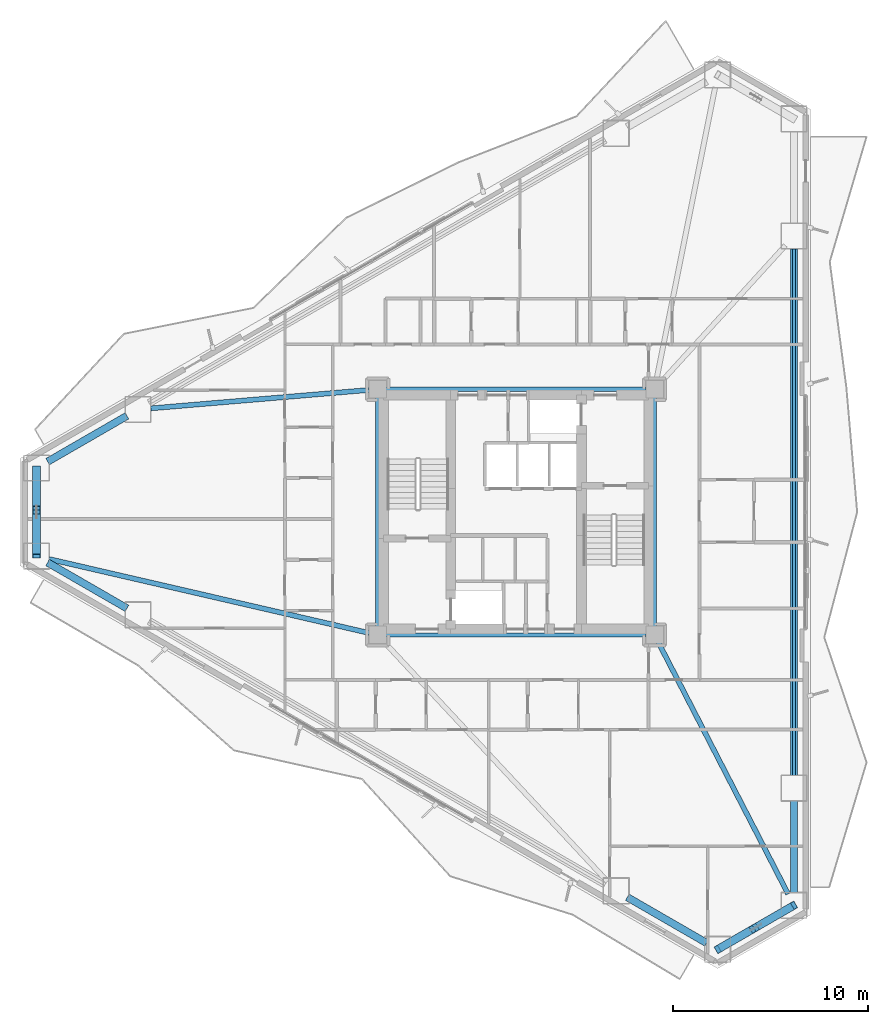
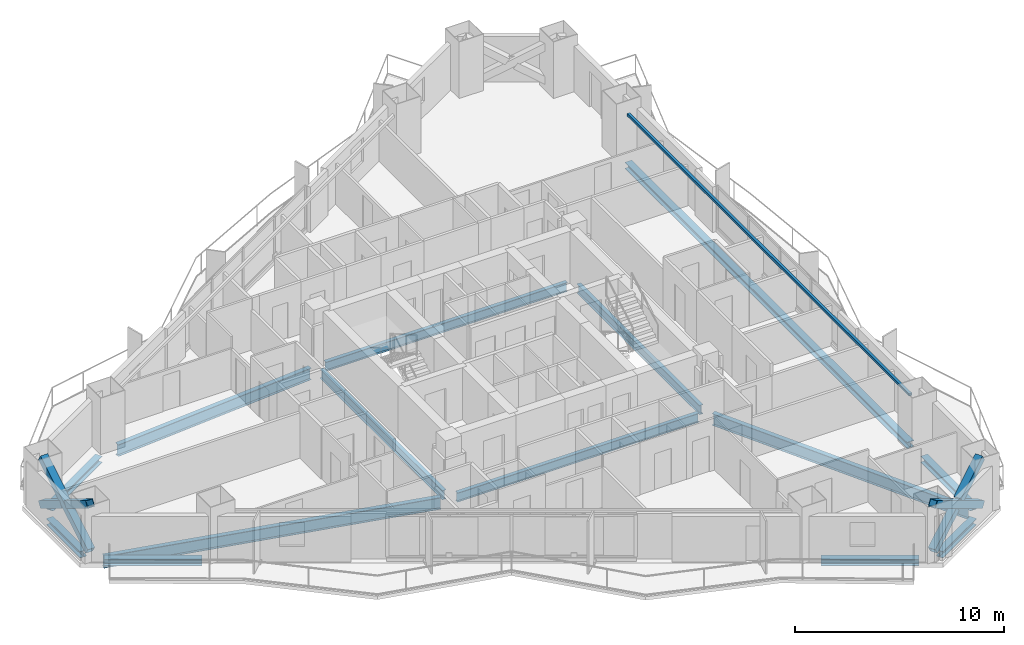
# One storey, part 5 of 18: 15 beams, 6 members.
"""IFC4 building model written with IfcOpenShell, lengths in metres."""

from ifc_helpers import new_model, si_unit, direction, frame, origin, origin_2d, place, context, subcontext, project, spatial, hollow_rectangle, i_section, extrude, material, material_profile, profile_set, type_object, element, save


model = new_model("IFC4")

# Units and contexts
model_context = context("Model", 3, precision=1e-05, world=origin(), true_north=direction((0.0, 1.0)))
body_context = subcontext(model_context, "Body", "Model", "MODEL_VIEW")
ifc_project = project(units=[si_unit("LENGTHUNIT", "METRE"), si_unit("AREAUNIT", "SQUARE_METRE"), si_unit("VOLUMEUNIT", "CUBIC_METRE"), si_unit("PLANEANGLEUNIT", "RADIAN"), si_unit("MASSUNIT", "GRAM", prefix="KILO")], contexts=[model_context])

# Site, building, storey
site_placement = place(None, origin())
site = spatial("IfcSite", under=ifc_project, at=site_placement, CompositionType="ELEMENT")
building_placement = place(site_placement, origin())
building = spatial("IfcBuilding", under=site, at=building_placement, Name="Mersakhor Tower and Convention Hall", CompositionType="ELEMENT")
storey_placement = place(building_placement, frame((0.0, 0.0, 55.5)))
storey = spatial("IfcBuildingStorey", under=building, at=storey_placement, Name="L15", CompositionType="ELEMENT", Elevation=55.5)

# Beams
ifc_material_1 = material(Name="Steel S355", Category="steel")
ifc_material_profile_1 = material_profile(ifc_material_1, i_section(OverallWidth=0.2099609375, OverallDepth=0.53662109375, WebThickness=0.0107421875, FlangeThickness=0.017333984375, at=origin_2d()), Name="UB 533x210x101")
ifc_profile_set_1 = profile_set([ifc_material_profile_1], Name="Steel S355")
beam_type_1 = type_object("IfcBeamType", Name="BM-FB-533", PredefinedType="BEAM", material=ifc_profile_set_1)
beam_1_placement = place(storey_placement, frame((21.89990234375, 20.8798828125, -0.5283203125), z_axis=(0.0, 1.0, 0.0), x_axis=(-1.0, 0.0, 0.0)))
element("IfcBeam", 1, at=beam_1_placement, inside=storey, type_object=beam_type_1, Name="L15 Core Ring Tie Beam CRB-1", PredefinedType="BEAM", context=body_context, shape_type="SweptSolid", body=[
    extrude(i_section(OverallWidth=0.2099609375, OverallDepth=0.53662109375, WebThickness=0.0107421875, FlangeThickness=0.017333984375, at=origin_2d()), origin(), (0.0, 0.0, 1.0), 11.740234375),
])
beam_2_placement = place(storey_placement, frame((22.330078125, 33.050048828125, -0.5283203125), z_axis=(1.0, 0.0, 0.0), x_axis=(0.0, 1.0, 0.0)))
element("IfcBeam", 2, at=beam_2_placement, inside=storey, type_object=beam_type_1, Name="L15 Core Ring Tie Beam CRB-2", PredefinedType="BEAM", context=body_context, shape_type="SweptSolid", body=[
    extrude(i_section(OverallWidth=0.2099609375, OverallDepth=0.53662109375, WebThickness=0.0107421875, FlangeThickness=0.017333984375, at=origin_2d()), origin(), (0.0, 0.0, 1.0), 13.33984375),
])
beam_3_placement = place(storey_placement, frame((36.10009765625, 32.6201171875, -0.5283203125), z_axis=(0.0, -1.0, 0.0), x_axis=(1.0, 0.0, 0.0)))
element("IfcBeam", 3, at=beam_3_placement, inside=storey, type_object=beam_type_1, Name="L15 Core Ring Tie Beam CRB-3", PredefinedType="BEAM", context=body_context, shape_type="SweptSolid", body=[
    extrude(i_section(OverallWidth=0.2099609375, OverallDepth=0.53662109375, WebThickness=0.0107421875, FlangeThickness=0.017333984375, at=origin_2d()), origin(), (0.0, 0.0, 1.0), 11.740234375),
])
beam_4_placement = place(storey_placement, frame((35.669921875, 20.449951171875, -0.5283203125), z_axis=(-1.0, 0.0, 0.0), x_axis=(0.0, -1.0, 0.0)))
element("IfcBeam", 4, at=beam_4_placement, inside=storey, type_object=beam_type_1, Name="L15 Core Ring Tie Beam CRB-4", PredefinedType="BEAM", context=body_context, shape_type="SweptSolid", body=[
    extrude(i_section(OverallWidth=0.2099609375, OverallDepth=0.53662109375, WebThickness=0.0107421875, FlangeThickness=0.017333984375, at=origin_2d()), origin(), (0.0, 0.0, 1.0), 13.33984375),
])
ifc_material_2 = material(Name="Steel S355", Category="steel")
ifc_material_profile_2 = material_profile(ifc_material_2, hollow_rectangle(XDim=0.14990234375, YDim=0.14990234375, WallThickness=0.010009765625, at=origin_2d()), Name="SHS 150x150x10")
ifc_profile_set_2 = profile_set([ifc_material_profile_2], Name="Steel S355")
beam_type_2 = type_object("IfcBeamType", Name="BM-GRT-SHS150", PredefinedType="USERDEFINED", material=ifc_profile_set_2)
beam_5_placement = place(storey_placement, frame((43.25, 40.24951171875, 2.47998046875), z_axis=(0.0, -1.0, 0.0), x_axis=(1.0, 0.0, 0.0)))
element("IfcBeam", 5, at=beam_5_placement, inside=storey, type_object=beam_type_2, Name="L15 Facade Support Girt GRT-F2", ObjectType="GIRT", PredefinedType="USERDEFINED", context=body_context, shape_type="SweptSolid", body=[
    extrude(hollow_rectangle(XDim=0.14990234375, YDim=0.14990234375, WallThickness=0.010009765625, at=origin_2d()), origin(), (0.0, 0.0, 1.0), 26.9990234375),
])
ifc_material_3 = material(Name="Steel S355", Category="steel")
ifc_material_profile_3 = material_profile(ifc_material_3, i_section(OverallWidth=0.25439453125, OverallDepth=0.6875, WebThickness=0.01318359375, FlangeThickness=0.02099609375, at=origin_2d()), Name="UB 686x254x152")
ifc_profile_set_3 = profile_set([ifc_material_profile_3], Name="Steel S355")
beam_type_3 = type_object("IfcBeamType", Name="BM-PR-686", PredefinedType="BEAM", material=ifc_profile_set_3)
beam_6_placement = place(storey_placement, frame((21.471435546875, 33.013916015625, -0.603759765625), z_axis=(-0.996458345442, -0.084087845732, 0.0), x_axis=(0.084087845732, -0.996458345442, 0.0)))
element("IfcBeam", 6, at=beam_6_placement, inside=storey, type_object=beam_type_3, Name="L15 Primary Floor Girder FG-1", PredefinedType="BEAM", context=body_context, shape_type="SweptSolid", body=[
    extrude(i_section(OverallWidth=0.25439453125, OverallDepth=0.6875, WebThickness=0.01318359375, FlangeThickness=0.02099609375, at=origin_2d()), origin(), (0.0, 0.0, 1.0), 11.241943359375),
])
beam_7_placement = place(storey_placement, frame((36.297119140625, 20.06787109375, -0.603759765625), z_axis=(0.458368239331, -0.888762373851, 0.0), x_axis=(0.888762373851, 0.458368239331, 0.0)))
element("IfcBeam", 7, at=beam_7_placement, inside=storey, type_object=beam_type_3, Name="L15 Primary Floor Girder FG-4", PredefinedType="BEAM", context=body_context, shape_type="SweptSolid", body=[
    extrude(i_section(OverallWidth=0.25439453125, OverallDepth=0.6875, WebThickness=0.01318359375, FlangeThickness=0.02099609375, at=origin_2d()), origin(), (0.0, 0.0, 1.0), 14.513671875),
])
beam_8_placement = place(storey_placement, frame((21.48095703125, 20.546875, -0.603759765625), z_axis=(-0.974327224334, 0.225136536175, 0.0), x_axis=(-0.225136536175, -0.974327224334, 0.0)))
element("IfcBeam", 8, at=beam_8_placement, inside=storey, type_object=beam_type_3, Name="L15 Primary Floor Girder FG-6", PredefinedType="BEAM", context=body_context, shape_type="SweptSolid", body=[
    extrude(i_section(OverallWidth=0.25439453125, OverallDepth=0.6875, WebThickness=0.01318359375, FlangeThickness=0.02099609375, at=origin_2d()), origin(), (0.0, 0.0, 1.0), 16.862548828125),
])
ifc_material_4 = material(Name="Steel S355", Category="steel")
ifc_material_profile_4 = material_profile(ifc_material_4, i_section(OverallWidth=0.374755859375, OverallDepth=0.37451171875, WebThickness=0.0166015625, FlangeThickness=0.027099609375, at=origin_2d()), Name="UC 356x368x202")
ifc_profile_set_4 = profile_set([ifc_material_profile_4], Name="Steel S355")
beam_type_4 = type_object("IfcBeamType", Name="BM-SPD-UC356", PredefinedType="SPANDREL", material=ifc_profile_set_4)
beam_9_placement = place(storey_placement, frame((4.980224609375, 29.3369140625, -0.447265625), z_axis=(0.86605407247, 0.499950341091, 0.0), x_axis=(-0.499950341091, 0.86605407247, 0.0)))
element("IfcBeam", 9, at=beam_9_placement, inside=storey, type_object=beam_type_4, Name="L15 Perimeter Spandrel Beam SPB-01", PredefinedType="SPANDREL", context=body_context, shape_type="SweptSolid", body=[
    extrude(i_section(OverallWidth=0.374755859375, OverallDepth=0.37451171875, WebThickness=0.0166015625, FlangeThickness=0.027099609375, at=origin_2d()), origin(), (0.0, 0.0, 1.0), 4.69873046875),
])
beam_10_placement = place(storey_placement, frame((43.25, 40.24951171875, -0.447265625), z_axis=(0.0, -1.0, 0.0), x_axis=(1.0, 0.0, 0.0)))
element("IfcBeam", 10, at=beam_10_placement, inside=storey, type_object=beam_type_4, Name="L15 Perimeter Spandrel Beam SPB-06", PredefinedType="SPANDREL", context=body_context, shape_type="SweptSolid", body=[
    extrude(i_section(OverallWidth=0.374755859375, OverallDepth=0.37451171875, WebThickness=0.0166015625, FlangeThickness=0.027099609375, at=origin_2d()), origin(), (0.0, 0.0, 1.0), 26.9990234375),
])
beam_11_placement = place(storey_placement, frame((43.25, 11.9404296875, -0.447265625), z_axis=(0.0, -1.0, 0.0), x_axis=(1.0, 0.0, 0.0)))
element("IfcBeam", 11, at=beam_11_placement, inside=storey, type_object=beam_type_4, Name="L15 Perimeter Spandrel Beam SPB-07", PredefinedType="SPANDREL", context=body_context, shape_type="SweptSolid", body=[
    extrude(i_section(OverallWidth=0.374755859375, OverallDepth=0.37451171875, WebThickness=0.0166015625, FlangeThickness=0.027099609375, at=origin_2d()), origin(), (0.0, 0.0, 1.0), 4.69873046875),
])
beam_12_placement = place(storey_placement, frame((42.682861328125, 6.25927734375, -0.447265625), z_axis=(-0.866038607556, -0.4999771297, 0.0), x_axis=(0.4999771297, -0.866038607556, 0.0)))
element("IfcBeam", 12, at=beam_12_placement, inside=storey, type_object=beam_type_4, Name="L15 Perimeter Spandrel Beam SPB-08", PredefinedType="SPANDREL", context=body_context, shape_type="SweptSolid", body=[
    extrude(i_section(OverallWidth=0.374755859375, OverallDepth=0.37451171875, WebThickness=0.0166015625, FlangeThickness=0.027099609375, at=origin_2d()), origin(), (0.0, 0.0, 1.0), 3.208740234375),
])
for number, where, z_axis, x_axis, name in (
    (13, (38.769775390625, 4.655029296875, -0.447265625), (-0.866031574723, 0.499989311469, 0.0), (-0.499989311469, -0.866031574723, 0.0), "L15 Perimeter Spandrel Beam SPB-09"),
    (14, (9.049560546875, 21.81396484375, -0.447265625), (-0.86605407247, 0.499950341091, 0.0), (-0.499950341091, -0.86605407247, 0.0), "L15 Perimeter Spandrel Beam SPB-11"),
):
    element("IfcBeam", number, at=place(storey_placement, frame(where, z_axis=z_axis, x_axis=x_axis)), inside=storey, type_object=beam_type_4, Name=name, PredefinedType="SPANDREL", context=body_context, shape_type="SweptSolid", body=[
        extrude(i_section(OverallWidth=0.374755859375, OverallDepth=0.37451171875, WebThickness=0.0166015625, FlangeThickness=0.027099609375, at=origin_2d()), origin(), (0.0, 0.0, 1.0), 4.69873046875),
    ])
beam_13_placement = place(storey_placement, frame((4.4130859375, 25.145751953125, -0.447265625), z_axis=(0.0, 1.0, 0.0), x_axis=(-1.0, 0.0, 0.0)))
element("IfcBeam", 15, at=beam_13_placement, inside=storey, type_object=beam_type_4, Name="L15 Perimeter Spandrel Beam SPB-12", PredefinedType="SPANDREL", context=body_context, shape_type="SweptSolid", body=[
    extrude(i_section(OverallWidth=0.374755859375, OverallDepth=0.37451171875, WebThickness=0.0166015625, FlangeThickness=0.027099609375, at=origin_2d()), origin(), (0.0, 0.0, 1.0), 3.20849609375),
])

# Members
ifc_material_5 = material(Name="Steel S460", Category="steel")
ifc_material_profile_5 = material_profile(ifc_material_5, hollow_rectangle(XDim=0.39990234375, YDim=0.39990234375, WallThickness=0.02490234375, at=origin_2d()), Name="SHS 400x400x25")
ifc_profile_set_5 = profile_set([ifc_material_profile_5], Name="Steel S460")
member_type = type_object("IfcMemberType", Name="MB-BRC-SHS400", PredefinedType="BRACE", material=ifc_profile_set_5)
member_1_placement = place(storey_placement, frame((43.25, 6.586669921875, 0.14990234375), z_axis=(-0.740507772322, -0.427542982597, 0.518512523632), x_axis=(0.500009315796, -0.86602002524, 0.0)))
element("IfcMember", 16, at=member_1_placement, inside=storey, type_object=member_type, Name="L15 Chamfer Braced Frame Diagonal CB-2A", PredefinedType="BRACE", context=body_context, shape_type="SweptSolid", body=[
    extrude(hollow_rectangle(XDim=0.39990234375, YDim=0.39990234375, WallThickness=0.02490234375, at=origin_2d()), origin(), (0.0, 0.0, 1.0), 5.284423828125),
])
member_2_placement = place(storey_placement, frame((39.3369140625, 4.327392578125, 0.14990234375), z_axis=(0.740473193976, 0.427601478974, 0.51851366827), x_axis=(-0.500078132948, 0.865980289006, 0.0)))
element("IfcMember", 17, at=member_2_placement, inside=storey, type_object=member_type, Name="L15 Chamfer Braced Frame Diagonal CB-2B Lower Half", PredefinedType="BRACE", context=body_context, shape_type="SweptSolid", body=[
    extrude(hollow_rectangle(XDim=0.39990234375, YDim=0.39990234375, WallThickness=0.02490234375, at=origin_2d()), origin(), (0.0, 0.0, 1.0), 2.408935546875),
])
member_3_placement = place(storey_placement, frame((41.46630859375, 5.556884765625, 1.64111328125), z_axis=(0.740544200614, 0.427541122117, 0.51846202931), x_axis=(-0.499989236795, 0.866031617834, 0.0)))
element("IfcMember", 18, at=member_3_placement, inside=storey, type_object=member_type, Name="L15 Chamfer Braced Frame Diagonal CB-2B Upper Half", PredefinedType="BRACE", context=body_context, shape_type="SweptSolid", body=[
    extrude(hollow_rectangle(XDim=0.39990234375, YDim=0.39990234375, WallThickness=0.02490234375, at=origin_2d()), origin(), (0.0, 0.0, 1.0), 2.40869140625),
])
member_4_placement = place(storey_placement, frame((4.4130859375, 24.49072265625, 0.14990234375), z_axis=(0.0, 0.855074317009, 0.51850546033), x_axis=(-1.0, 0.0, 0.0)))
element("IfcMember", 19, at=member_4_placement, inside=storey, type_object=member_type, Name="L15 Chamfer Braced Frame Diagonal CB-3A", PredefinedType="BRACE", context=body_context, shape_type="SweptSolid", body=[
    extrude(hollow_rectangle(XDim=0.39990234375, YDim=0.39990234375, WallThickness=0.02490234375, at=origin_2d()), origin(), (0.0, 0.0, 1.0), 5.284423828125),
])
for number, where, z_axis, x_axis, name in (
    (20, (4.4130859375, 29.00927734375, 0.14990234375), (0.0, -0.855050764291, 0.518544299444), (1.0, 0.0, 0.0), "L15 Chamfer Braced Frame Diagonal CB-3B Lower Half"),
    (21, (4.4130859375, 26.55029296875, 1.64111328125), (0.0, -0.855095703444, 0.518470190032), (1.0, 0.0, 0.0), "L15 Chamfer Braced Frame Diagonal CB-3B Upper Half"),
):
    element("IfcMember", number, at=place(storey_placement, frame(where, z_axis=z_axis, x_axis=x_axis)), inside=storey, type_object=member_type, Name=name, PredefinedType="BRACE", context=body_context, shape_type="SweptSolid", body=[
        extrude(hollow_rectangle(XDim=0.39990234375, YDim=0.39990234375, WallThickness=0.02490234375, at=origin_2d()), origin(), (0.0, 0.0, 1.0), 2.40869140625),
    ])

save(model, "model.ifc")
